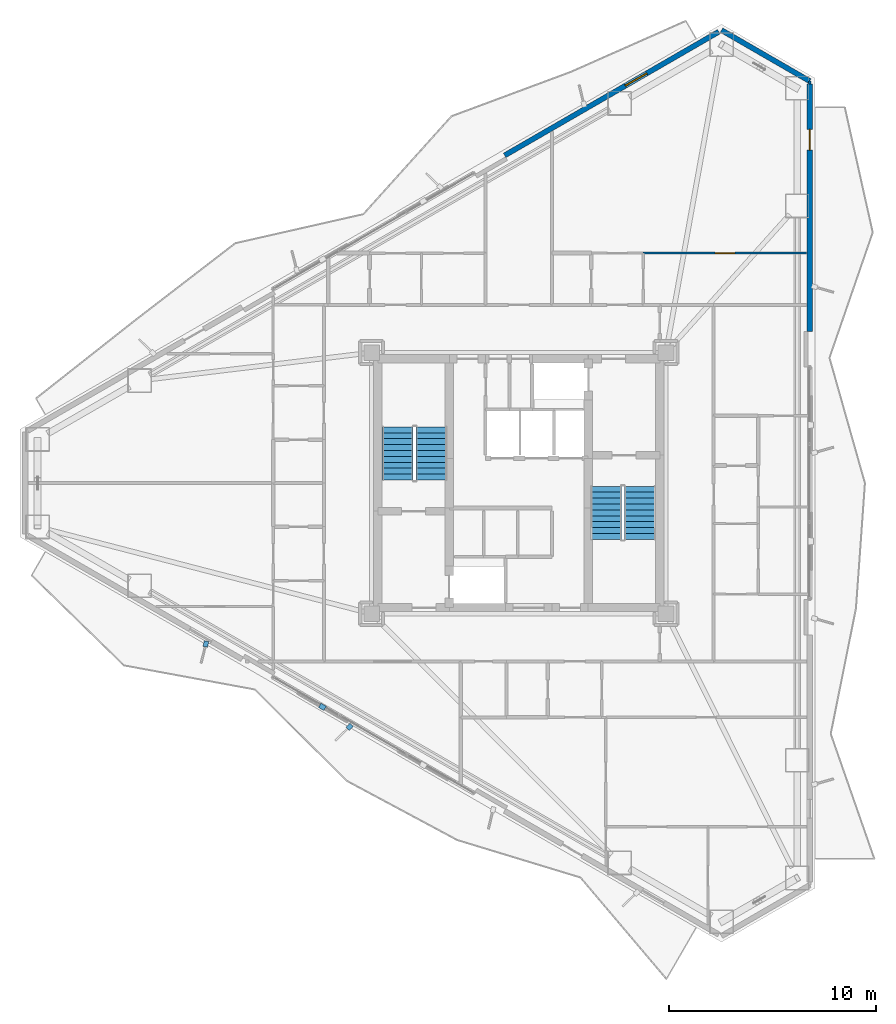
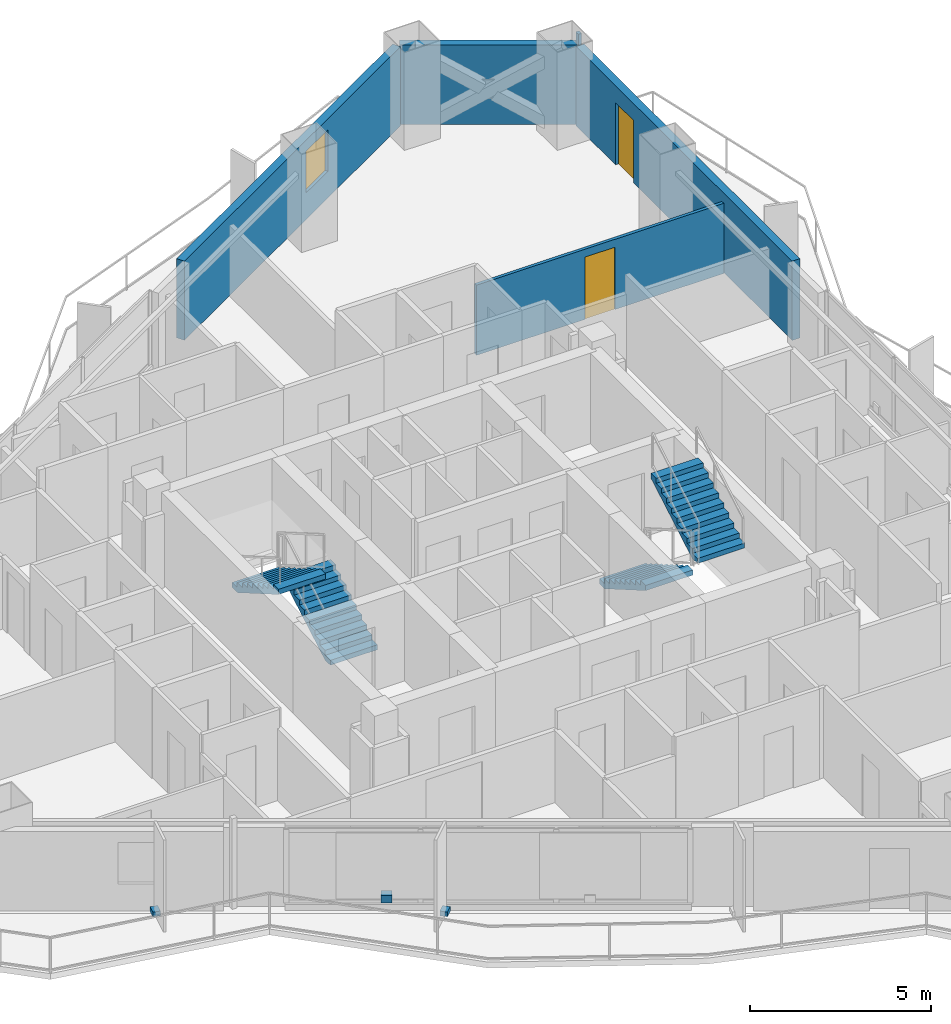
# One storey, part 20 of 23: 5 walls, 4 stair flights, 3 discrete accessories, 2 doors, 1 window, 3 openings, 2 elements without a shape of their own.
"""IFC4 building model written with IfcOpenShell, lengths in metres."""

from ifc_helpers import new_model, si_unit, direction, frame, frame_2d, origin, origin_2d, place, context, subcontext, project, spatial, polyline, rectangle, outline, extrude, material, layer, layer_set, type_object, element, fill, aggregate, save


model = new_model("IFC4")

# Units and contexts
model_context = context("Model", 3, precision=1e-05, world=origin(), true_north=direction((0.0, 1.0)))
body_context = subcontext(model_context, "Body", "Model", "MODEL_VIEW")
ifc_project = project(units=[si_unit("LENGTHUNIT", "METRE"), si_unit("AREAUNIT", "SQUARE_METRE"), si_unit("VOLUMEUNIT", "CUBIC_METRE"), si_unit("PLANEANGLEUNIT", "RADIAN"), si_unit("MASSUNIT", "GRAM", prefix="KILO")], contexts=[model_context])

# Site, building, storey
site_placement = place(None, origin())
site = spatial("IfcSite", under=ifc_project, at=site_placement, CompositionType="ELEMENT")
building_placement = place(site_placement, origin())
building = spatial("IfcBuilding", under=site, at=building_placement, Name="Mersakhor Tower and Convention Hall", CompositionType="ELEMENT")
storey_placement = place(building_placement, frame((0.0, 0.0, 106.5)))
storey = spatial("IfcBuildingStorey", under=building, at=storey_placement, Name="L29", CompositionType="ELEMENT", Elevation=106.5)

# Wall
ifc_material_1 = material(Name="Precast concrete C40/50", Category="concrete")
ifc_layer_1 = layer(ifc_material_1, 0.25)
ifc_layer_set_1 = layer_set([ifc_layer_1], Name="Precast concrete C40/50")
wall_type_1 = type_object("IfcWallType", Name="WL-EXT-250", PredefinedType="SOLIDWALL", material=ifc_layer_set_1)
wall_1_placement = place(storey_placement, frame((38.77880859375, 48.6015625, 0.0), z_axis=(0.0, 0.0, 1.0), x_axis=(0.866011848704, -0.500023477353, 0.0)))
element("IfcWall", 1, at=wall_1_placement, inside=storey, type_object=wall_type_1, Name="L29 Chamfer Braced Spandrel Wall C1", PredefinedType="SOLIDWALL", context=body_context, shape_type="SweptSolid", body=[
    extrude(rectangle(XDim=4.914306640625, YDim=0.25, at=frame_2d((2.45703125, 0.0))), origin(), (0.0, 0.0, 1.0), 2.669921875),
])

# Wall, opening, window
wall_2_placement = place(storey_placement, frame((28.3173828125, 42.561767578125, 0.0), z_axis=(0.0, 0.0, 1.0), x_axis=(0.866023023012, 0.500004123596, 0.0)))
wall_2 = element("IfcWall", 2, at=wall_2_placement, inside=storey, type_object=wall_type_1, Name="L29 Exterior Facade Wall F1-B3", PredefinedType="SOLIDWALL", context=body_context, shape_type="SweptSolid", body=[
    extrude(rectangle(XDim=11.9296875, YDim=0.25, at=frame_2d((5.96484375, 0.0))), origin(), (0.0, 0.0, 1.0), 2.669921875),
])
opening_1_placement = place(wall_2_placement, frame((6.718017578125, 0.0, 0.89990234375)))
opening_1 = element("IfcOpeningElement", 3, at=opening_1_placement, cuts=wall_2, Name="Opening W-01", PredefinedType="OPENING", context=body_context, shape_type="SweptSolid", body=[
    extrude(rectangle(XDim=1.199951171875, YDim=1.39990234375, at=frame_2d((0.60009765625, 0.699951171875))), frame((0.0, 0.135009765625, 0.0), z_axis=(0.0, -1.0, 0.0), x_axis=(1.0, 0.0, 0.0)), (0.0, 0.0, 1.0), 0.27001953125),
])
ifc_material_2 = material(Name="Dark solar low-E glazed aluminium window", Category="aluminium")
window_type = type_object("IfcWindowType", Name="WN-RES-120x150", PartitioningType="SINGLE_PANEL", PredefinedType="WINDOW", material=ifc_material_2)
window_placement = place(opening_1_placement, origin())
window = element("IfcWindow", 4, at=window_placement, inside=storey, type_object=window_type, Name="L29 Bedroom Facade Window F1-B3-1", OverallHeight=1.39990234375, OverallWidth=1.199951171875, PartitioningType="SINGLE_PANEL", PredefinedType="WINDOW", context=body_context, shape_type="SweptSolid", body=[
    extrude(rectangle(XDim=1.199951171875, YDim=1.39990234375, at=frame_2d((0.60009765625, 0.699951171875))), frame((0.0, 0.030029296875, 0.0), z_axis=(0.0, -1.0, 0.0), x_axis=(1.0, 0.0, 0.0)), (0.0, 0.0, 1.0), 0.06005859375),
])
fill(opening_1, window)

# Wall, opening, door
wall_3_placement = place(storey_placement, frame((43.03466796875, 45.994384765625, 0.0), z_axis=(0.0, 0.0, 1.0), x_axis=(0.0, -1.0, 0.0)))
wall_3 = element("IfcWall", 5, at=wall_3_placement, inside=storey, type_object=wall_type_1, Name="L29 Exterior Facade Wall F2-B1", PredefinedType="SOLIDWALL", context=body_context, shape_type="SweptSolid", body=[
    extrude(rectangle(XDim=11.9296875, YDim=0.25, at=frame_2d((5.96484375, 0.0))), origin(), (0.0, 0.0, 1.0), 2.669921875),
])
opening_2_placement = place(wall_3_placement, frame((2.176025390625, 0.0, 0.0)))
opening_2 = element("IfcOpeningElement", 6, at=opening_2_placement, cuts=wall_3, Name="Opening BD-01", PredefinedType="OPENING", context=body_context, shape_type="SweptSolid", body=[
    extrude(rectangle(XDim=1.0, YDim=2.10009765625, at=frame_2d((0.5, 1.050048828125))), frame((0.0, 0.135009765625, 0.0), z_axis=(0.0, -1.0, 0.0), x_axis=(1.0, 0.0, 0.0)), (0.0, 0.0, 1.0), 0.27001953125),
])
ifc_material_3 = material(Name="Thermally broken dark aluminium and safety glass", Category="aluminium")
door_type_1 = type_object("IfcDoorType", Name="DR-BAL-100x210", OperationType="NOTDEFINED", PredefinedType="DOOR", material=ifc_material_3)
door_1_placement = place(opening_2_placement, origin())
door_1 = element("IfcDoor", 7, at=door_1_placement, inside=storey, type_object=door_type_1, Name="L29 Balcony Terrace Door F2-B1", OperationType="SINGLE_SWING_LEFT", OverallHeight=2.10009765625, OverallWidth=1.0, PredefinedType="DOOR", context=body_context, shape_type="SweptSolid", body=[
    extrude(rectangle(XDim=1.0, YDim=2.10009765625, at=frame_2d((0.5, 1.050048828125))), frame((0.0, 0.02490234375, 0.0), z_axis=(0.0, -1.0, 0.0), x_axis=(1.0, 0.0, 0.0)), (0.0, 0.0, 1.0), 0.050048828125),
])
fill(opening_2, door_1)

ifc_material_4 = material(Name="Lightweight gypsum partition", Category="other")
ifc_layer_2 = layer(ifc_material_4, 0.10009765625)
ifc_layer_set_2 = layer_set([ifc_layer_2], Name="Lightweight gypsum partition")
wall_type_2 = type_object("IfcWallType", Name="WL-PRT-100", PredefinedType="PARTITIONING", material=ifc_layer_set_2)
wall_4_placement = place(storey_placement, frame((35.0, 37.85009765625, 0.0), z_axis=(0.0, 0.0, 1.0), x_axis=(1.0, 0.0, 0.0)))
wall_4 = element("IfcWall", 8, at=wall_4_placement, inside=storey, type_object=wall_type_2, Name="L29 Interior Partition Wall P-094", PredefinedType="PARTITIONING", context=body_context, shape_type="SweptSolid", body=[
    extrude(rectangle(XDim=7.885498046875, YDim=0.10009765625, at=frame_2d((3.94287109375, 0.0))), origin(), (0.0, 0.0, 1.0), 2.364990234375),
])
opening_3_placement = place(wall_4_placement, frame((3.4677734375, 0.0, 0.0)))
opening_3 = element("IfcOpeningElement", 9, at=opening_3_placement, cuts=wall_4, Name="Opening RD-01", PredefinedType="OPENING", context=body_context, shape_type="SweptSolid", body=[
    extrude(rectangle(XDim=0.949951171875, YDim=2.10009765625, at=frame_2d((0.47509765625, 1.050048828125))), frame((0.0, 0.06005859375, 0.0), z_axis=(0.0, -1.0, 0.0), x_axis=(1.0, 0.0, 0.0)), (0.0, 0.0, 1.0), 0.1201171875),
])
ifc_material_5 = material(Name="Solid-core hardwood leaf in painted steel frame", Category="steel")
door_type_2 = type_object("IfcDoorType", Name="DR-INT-RM-095x210", OperationType="NOTDEFINED", PredefinedType="DOOR", material=ifc_material_5)
door_2_placement = place(opening_3_placement, origin())
door_2 = element("IfcDoor", 10, at=door_2_placement, inside=storey, type_object=door_type_2, Name="L29 L29 Flat N2 Kitchen to L29 Flat N2 Studio Living and Sleeping Room Door", OperationType="SINGLE_SWING_LEFT", OverallHeight=2.10009765625, OverallWidth=0.949951171875, PredefinedType="DOOR", context=body_context, shape_type="SweptSolid", body=[
    extrude(rectangle(XDim=0.949951171875, YDim=2.10009765625, at=frame_2d((0.47509765625, 1.050048828125))), frame((0.0, 0.02490234375, 0.0), z_axis=(0.0, -1.0, 0.0), x_axis=(1.0, 0.0, 0.0)), (0.0, 0.0, 1.0), 0.050048828125),
])
fill(opening_3, door_2)

# Wall
wall_5_placement = place(storey_placement, frame((43.034912109375, 46.14404296875, 0.0), z_axis=(0.0, 0.0, 1.0), x_axis=(0.0, -1.0, 0.0)))
element("IfcWall", 11, at=wall_5_placement, inside=storey, type_object=wall_type_2, Name="L29 Interior Partition Wall P-118", PredefinedType="PARTITIONING", context=body_context, shape_type="SweptSolid", body=[
    extrude(rectangle(XDim=0.149658203125, YDim=0.10009765625, at=frame_2d((0.07470703125, 0.0))), origin(), (0.0, 0.0, 1.0), 3.050048828125),
])

# Stair, stair flights
ifc_material_6 = material(Name="Concrete C45/55", Category="concrete")
stair_type = type_object("IfcStairType", Name="ST-TWR-20R", PredefinedType="HALF_TURN_STAIR", material=ifc_material_6)
stair_1_placement = place(storey_placement, origin())
stair_1 = element("IfcStair", 12, at=stair_1_placement, inside=storey, type_object=stair_type, Name="L29 Tower Protected Exit Stair ST-1", PredefinedType="HALF_TURN_STAIR")
ifc_material_7 = material(Name="Concrete C45/55", Category="concrete")
stair_flight_type = type_object("IfcStairFlightType", Name="SFL-TWR-20R", PredefinedType="STRAIGHT", material=ifc_material_7)
stair_flight_1_placement = place(storey_placement, frame((24.800048828125, 26.89990234375, 0.0), z_axis=(0.0, 0.0, 1.0), x_axis=(0.0, 1.0, 0.0)))
stair_flight_1 = element("IfcStairFlight", 13, at=stair_flight_1_placement, type_object=stair_flight_type, Name="ST-1 flight 1", NumberOfRisers=10, NumberOfTreads=9, PredefinedType="STRAIGHT", RiserHeight=0.165, TreadLength=0.285, context=body_context, shape_type="SweptSolid", body=[
    extrude(outline(polyline([(0.0, 0.0), (0.0, 0.1650390625), (0.284912109375, 0.1650390625), (0.284912109375, 0.330078125), (0.570068359375, 0.330078125), (0.570068359375, 0.4951171875), (0.85498046875, 0.4951171875), (0.85498046875, 0.659912109375), (1.139892578125, 0.659912109375), (1.139892578125, 0.824951171875), (1.425048828125, 0.824951171875), (1.425048828125, 0.989990234375), (1.7099609375, 0.989990234375), (1.7099609375, 1.155029296875), (1.9951171875, 1.155029296875), (1.9951171875, 1.320068359375), (2.280029296875, 1.320068359375), (2.280029296875, 1.485107421875), (2.56494140625, 1.485107421875), (2.56494140625, 1.64990234375), (2.56494140625, 1.311767578125), (0.299072265625, 0.0), (0.0, 0.0)])), frame((0.0, 0.75, 0.0), z_axis=(0.0, -1.0, 0.0), x_axis=(1.0, 0.0, 0.0)), (0.0, 0.0, 1.0), 1.5),
])
stair_flight_2_placement = place(storey_placement, frame((23.14990234375, 29.465087890625, 1.64990234375), z_axis=(0.0, 0.0, 1.0), x_axis=(0.0, -1.0, 0.0)))
stair_flight_2 = element("IfcStairFlight", 14, at=stair_flight_2_placement, type_object=stair_flight_type, Name="ST-1 flight 2", NumberOfRisers=10, NumberOfTreads=9, PredefinedType="STRAIGHT", RiserHeight=0.165, TreadLength=0.285, context=body_context, shape_type="SweptSolid", body=[
    extrude(outline(polyline([(0.0, 0.0), (0.0, 0.1650390625), (0.284912109375, 0.1650390625), (0.284912109375, 0.330078125), (0.570068359375, 0.330078125), (0.570068359375, 0.4951171875), (0.85498046875, 0.4951171875), (0.85498046875, 0.659912109375), (1.139892578125, 0.659912109375), (1.139892578125, 0.824951171875), (1.425048828125, 0.824951171875), (1.425048828125, 0.989990234375), (1.7099609375, 0.989990234375), (1.7099609375, 1.155029296875), (1.9951171875, 1.155029296875), (1.9951171875, 1.320068359375), (2.280029296875, 1.320068359375), (2.280029296875, 1.485107421875), (2.56494140625, 1.485107421875), (2.56494140625, 1.64990234375), (2.56494140625, 1.311767578125), (0.299072265625, 0.0), (0.0, 0.0)])), frame((0.0, 0.75, 0.0), z_axis=(0.0, -1.0, 0.0), x_axis=(1.0, 0.0, 0.0)), (0.0, 0.0, 1.0), 1.5),
])
aggregate(stair_1, [stair_flight_1, stair_flight_2])

stair_2_placement = place(storey_placement, origin())
stair_2 = element("IfcStair", 15, at=stair_2_placement, inside=storey, type_object=stair_type, Name="L29 Tower Protected Exit Stair ST-2", PredefinedType="HALF_TURN_STAIR")
stair_flight_3_placement = place(storey_placement, frame((33.199951171875, 26.60009765625, 0.0), z_axis=(0.0, 0.0, 1.0), x_axis=(0.0, -1.0, 0.0)))
stair_flight_3 = element("IfcStairFlight", 16, at=stair_flight_3_placement, type_object=stair_flight_type, Name="ST-2 flight 1", NumberOfRisers=10, NumberOfTreads=9, PredefinedType="STRAIGHT", RiserHeight=0.165, TreadLength=0.285, context=body_context, shape_type="SweptSolid", body=[
    extrude(outline(polyline([(0.0, 0.0), (0.0, 0.1650390625), (0.284912109375, 0.1650390625), (0.284912109375, 0.330078125), (0.570068359375, 0.330078125), (0.570068359375, 0.4951171875), (0.85498046875, 0.4951171875), (0.85498046875, 0.659912109375), (1.139892578125, 0.659912109375), (1.139892578125, 0.824951171875), (1.425048828125, 0.824951171875), (1.425048828125, 0.989990234375), (1.7099609375, 0.989990234375), (1.7099609375, 1.155029296875), (1.9951171875, 1.155029296875), (1.9951171875, 1.320068359375), (2.280029296875, 1.320068359375), (2.280029296875, 1.485107421875), (2.56494140625, 1.485107421875), (2.56494140625, 1.64990234375), (2.56494140625, 1.311767578125), (0.299072265625, 0.0), (0.0, 0.0)])), frame((0.0, 0.75, 0.0), z_axis=(0.0, -1.0, 0.0), x_axis=(1.0, 0.0, 0.0)), (0.0, 0.0, 1.0), 1.5),
])
stair_flight_4_placement = place(storey_placement, frame((34.85009765625, 24.034912109375, 1.64990234375), z_axis=(0.0, 0.0, 1.0), x_axis=(0.0, 1.0, 0.0)))
stair_flight_4 = element("IfcStairFlight", 17, at=stair_flight_4_placement, type_object=stair_flight_type, Name="ST-2 flight 2", NumberOfRisers=10, NumberOfTreads=9, PredefinedType="STRAIGHT", RiserHeight=0.165, TreadLength=0.285, context=body_context, shape_type="SweptSolid", body=[
    extrude(outline(polyline([(0.0, 0.0), (0.0, 0.1650390625), (0.284912109375, 0.1650390625), (0.284912109375, 0.330078125), (0.570068359375, 0.330078125), (0.570068359375, 0.4951171875), (0.85498046875, 0.4951171875), (0.85498046875, 0.659912109375), (1.139892578125, 0.659912109375), (1.139892578125, 0.824951171875), (1.425048828125, 0.824951171875), (1.425048828125, 0.989990234375), (1.7099609375, 0.989990234375), (1.7099609375, 1.155029296875), (1.9951171875, 1.155029296875), (1.9951171875, 1.320068359375), (2.280029296875, 1.320068359375), (2.280029296875, 1.485107421875), (2.56494140625, 1.485107421875), (2.56494140625, 1.64990234375), (2.56494140625, 1.311767578125), (0.299072265625, 0.0), (0.0, 0.0)])), frame((0.0, 0.75, 0.0), z_axis=(0.0, -1.0, 0.0), x_axis=(1.0, 0.0, 0.0)), (0.0, 0.0, 1.0), 1.5),
])
aggregate(stair_2, [stair_flight_3, stair_flight_4])

# Discrete accessories
ifc_material_8 = material(Name="Galvanised steel bracket", Category="steel")
ifc_layer_3 = layer(ifc_material_8, 0.02001953125)
ifc_layer_set_3 = layer_set([ifc_layer_3], Name="Galvanised steel bracket")
discrete_accessory_type = type_object("IfcDiscreteAccessoryType", Name="ACC-BRK-STL", PredefinedType="BRACKET", material=ifc_layer_set_3)
discrete_accessory_placement = place(storey_placement, frame((19.526611328125, 15.9560546875, 0.2900390625), z_axis=(0.0, 0.0, 1.0), x_axis=(-0.866025403784, 0.5, 0.0)))
element("IfcDiscreteAccessory", 18, at=discrete_accessory_placement, inside=storey, type_object=discrete_accessory_type, Name="L29 Solar Screen Outrigger Bracket BRK-3-2", PredefinedType="BRACKET", context=body_context, shape_type="SweptSolid", body=[
    extrude(rectangle(XDim=0.300048828125, YDim=0.239990234375, at=origin_2d()), origin(), (0.0, 0.0, 1.0), 0.260009765625),
])
for number, where, z_axis, x_axis, name in (
    (19, (20.8330078125, 14.993896484375, -0.02001953125), (0.0, 0.0, 1.0), (-0.719339800339, -0.694658370459, 0.0), "L29 Facade Fin Base Cleat Bracket FBRK-3-3"),
    (20, (13.90478515625, 18.993896484375, -0.02001953125), (0.0, 0.0, 1.0), (-0.2419218956, -0.970295726276, 0.0), "L29 Facade Fin Base Cleat Bracket FBRK-3-4"),
):
    element("IfcDiscreteAccessory", number, at=place(storey_placement, frame(where, z_axis=z_axis, x_axis=x_axis)), inside=storey, type_object=discrete_accessory_type, Name=name, PredefinedType="BRACKET", context=body_context, shape_type="SweptSolid", body=[
        extrude(rectangle(XDim=0.280029296875, YDim=0.219970703125, at=origin_2d()), origin(), (0.0, 0.0, 1.0), 0.159912109375),
    ])

save(model, "model.ifc")
